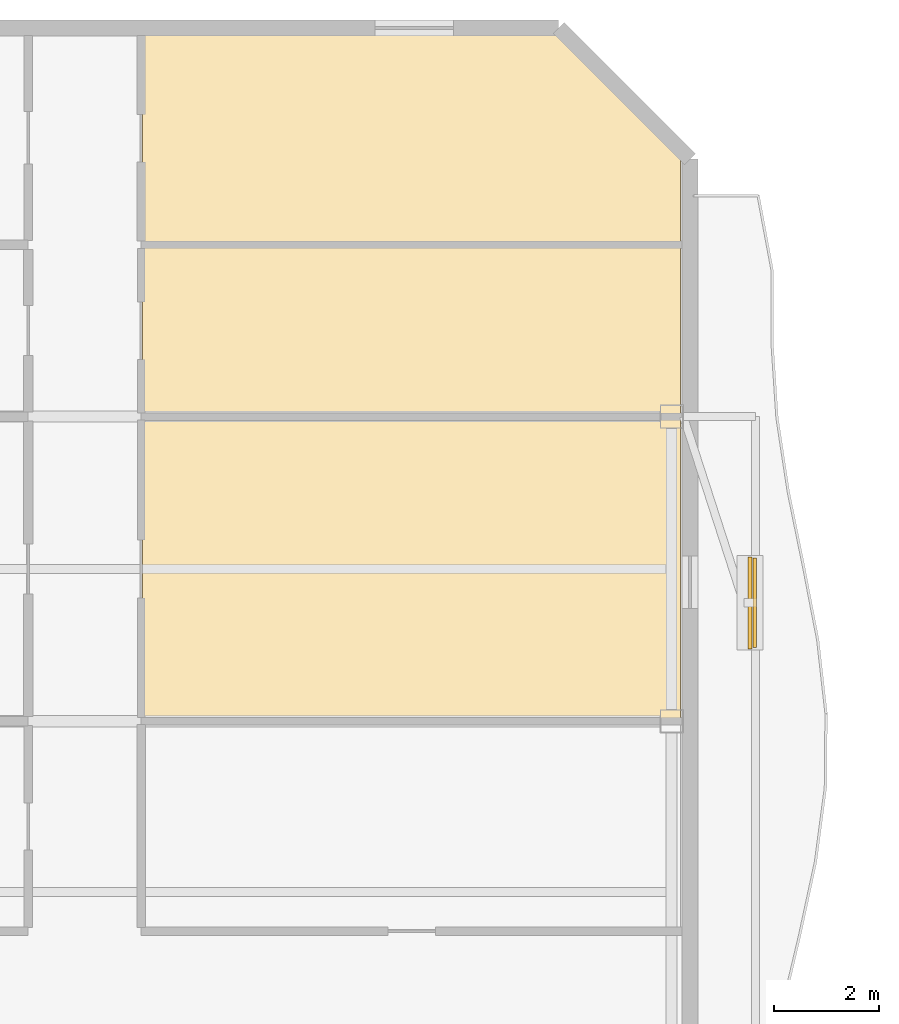
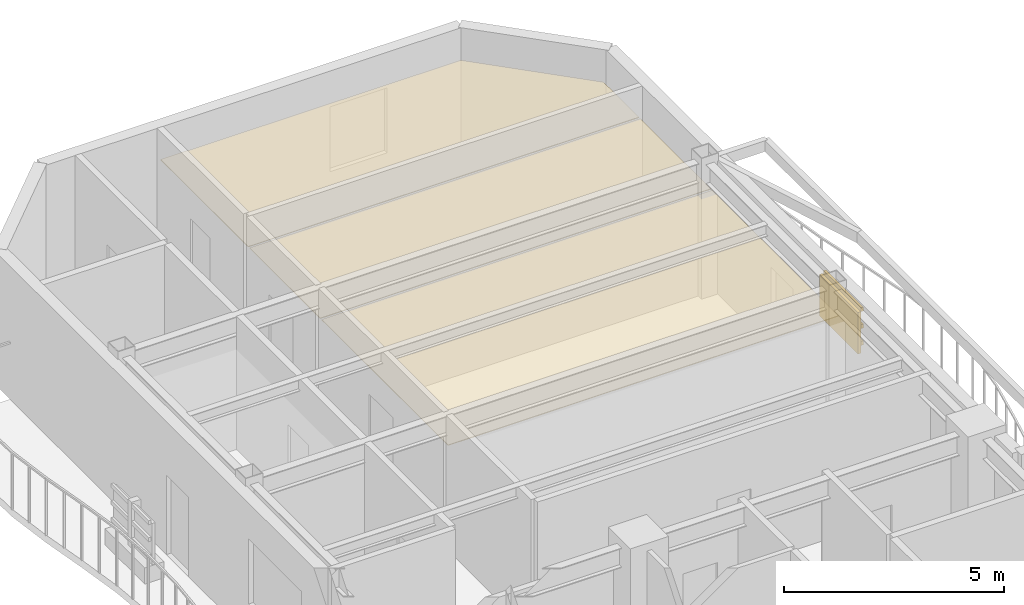
# One storey, part 9 of 9: 4 shading devices, 3 coverings.
"""IFC4 building model written with IfcOpenShell, lengths in metres."""

from ifc_helpers import new_model, si_unit, direction, frame, origin, origin_2d, place, context, subcontext, project, spatial, polyline, rectangle, outline, extrude, material, layer, layer_set, material_profile, profile_set, type_object, element, save


model = new_model("IFC4")

# Units and contexts
model_context = context("Model", 3, precision=1e-05, world=origin(), true_north=direction((0.0, 1.0)))
body_context = subcontext(model_context, "Body", "Model", "MODEL_VIEW")
ifc_project = project(units=[si_unit("LENGTHUNIT", "METRE"), si_unit("AREAUNIT", "SQUARE_METRE"), si_unit("VOLUMEUNIT", "CUBIC_METRE"), si_unit("PLANEANGLEUNIT", "RADIAN"), si_unit("MASSUNIT", "GRAM", prefix="KILO")], contexts=[model_context])

# Site, building, storey
site_placement = place(None, origin())
site = spatial("IfcSite", under=ifc_project, at=site_placement, CompositionType="ELEMENT")
building_placement = place(site_placement, origin())
building = spatial("IfcBuilding", under=site, at=building_placement, Name="Mawjaban Terraces University", CompositionType="ELEMENT")
storey_placement = place(building_placement, frame((0.0, 0.0, 226.5)))
storey = spatial("IfcBuildingStorey", under=building, at=storey_placement, Name="L55", CompositionType="ELEMENT", Elevation=226.5)

# Coverings
ifc_material_1 = material(Name="Acoustic mineral fibre ceiling tile", Category="masonry")
ifc_layer_1 = layer(ifc_material_1, 0.02001953125)
ifc_layer_set_1 = layer_set([ifc_layer_1], Name="Acoustic mineral fibre ceiling tile")
covering_type = type_object("IfcCoveringType", Name="AcousticMineralCeiling_20", PredefinedType="CEILING", material=ifc_layer_set_1)
covering_1_placement = place(storey_placement, frame((0.0, 0.0, 2.75)))
element("IfcCovering", 1, at=covering_1_placement, inside=storey, type_object=covering_type, Name="L55 Teaching Laboratory 11 Acoustic Ceiling", PredefinedType="CEILING", context=body_context, shape_type="SweptSolid", body=[
    extrude(outline(polyline([(37.820068359375, 30.030029296875), (37.820068359375, 35.77001953125), (27.580078125, 35.77001953125), (27.580078125, 30.030029296875), (37.820068359375, 30.030029296875)])), origin(), (0.0, 0.0, 1.0), 0.02001953125),
])
covering_2_placement = place(storey_placement, frame((0.0, 0.0, 2.75)))
element("IfcCovering", 2, at=covering_2_placement, inside=storey, type_object=covering_type, Name="L55 Computational Laboratory 13 Acoustic Ceiling", PredefinedType="CEILING", context=body_context, shape_type="SweptSolid", body=[
    extrude(outline(polyline([(37.820068359375, 35.830078125), (37.820068359375, 39.0419921875), (27.580078125, 39.0419921875), (27.580078125, 35.830078125), (37.820068359375, 35.830078125)])), origin(), (0.0, 0.0, 1.0), 0.02001953125),
])
covering_3_placement = place(storey_placement, frame((0.0, 0.0, 2.75)))
element("IfcCovering", 3, at=covering_3_placement, inside=storey, type_object=covering_type, Name="L55 Academic Counseling Room 15 Acoustic Ceiling", PredefinedType="CEILING", context=body_context, shape_type="SweptSolid", body=[
    extrude(outline(polyline([(37.820068359375, 40.718017578125), (35.452880859375, 43.0849609375), (27.580078125, 43.0849609375), (27.580078125, 39.10205078125), (37.820068359375, 39.10205078125), (37.820068359375, 40.718017578125)])), origin(), (0.0, 0.0, 1.0), 0.02001953125),
])

# Shading devices
ifc_material_2 = material(Name="Glazed architectural terracotta ceramic", Category="masonry")
ifc_material_profile = material_profile(ifc_material_2, rectangle(XDim=0.06494140625, YDim=0.110107421875, at=origin_2d()), Name="TBAG110X65")
ifc_profile_set = profile_set([ifc_material_profile], Name="Glazed architectural terracotta ceramic")
shading_device_type_1 = type_object("IfcShadingDeviceType", Name="TerracottaBaguette_110x65", PredefinedType="USERDEFINED", material=ifc_profile_set)
for number, where, z_axis, x_axis, name in (
    (4, (39.22900390625, 31.404052734375, 0.679931640625), (0.0, 1.0, 0.0), (-1.0, 0.0, 0.0), "L55 Horizontal Terracotta Baguette inner_east.1"),
    (5, (39.22900390625, 31.404052734375, 1.14990234375), (0.0, 1.0, 0.0), (-1.0, 0.0, 0.0), "L55 Horizontal Terracotta Baguette inner_east.2"),
    (6, (39.22900390625, 31.404052734375, 1.6201171875), (0.0, 1.0, 0.0), (-1.0, 0.0, 0.0), "L55 Horizontal Terracotta Baguette inner_east.3"),
):
    element("IfcShadingDevice", number, at=place(storey_placement, frame(where, z_axis=z_axis, x_axis=x_axis)), inside=storey, type_object=shading_device_type_1, Name=name, ObjectType="BAGUETTE", PredefinedType="USERDEFINED", context=body_context, shape_type="SweptSolid", body=[
        extrude(rectangle(XDim=0.06494140625, YDim=0.110107421875, at=origin_2d()), origin(), (0.0, 0.0, 1.0), 1.699951171875),
    ])
ifc_layer_2 = layer(ifc_material_2, 0.080078125)
ifc_layer_set_2 = layer_set([ifc_layer_2], Name="Glazed architectural terracotta ceramic")
shading_device_type_2 = type_object("IfcShadingDeviceType", Name="TerracottaScreen_Perforated", PredefinedType="USERDEFINED", material=ifc_layer_set_2)
shading_device_placement = place(storey_placement, frame((39.14404296875, 32.25390625, 0.43994140625), z_axis=(0.0, 0.0, 1.0), x_axis=(0.0, 1.0, 0.0)))
element("IfcShadingDevice", 7, at=shading_device_placement, inside=storey, type_object=shading_device_type_2, Name="L55 Balcony Perforated Terracotta Screen inner_east", ObjectType="SCREEN", PredefinedType="USERDEFINED", context=body_context, shape_type="SweptSolid", body=[
    extrude(rectangle(XDim=1.75, YDim=0.080078125, at=origin_2d()), origin(), (0.0, 0.0, 1.0), 1.14990234375),
])

save(model, "model.ifc")
